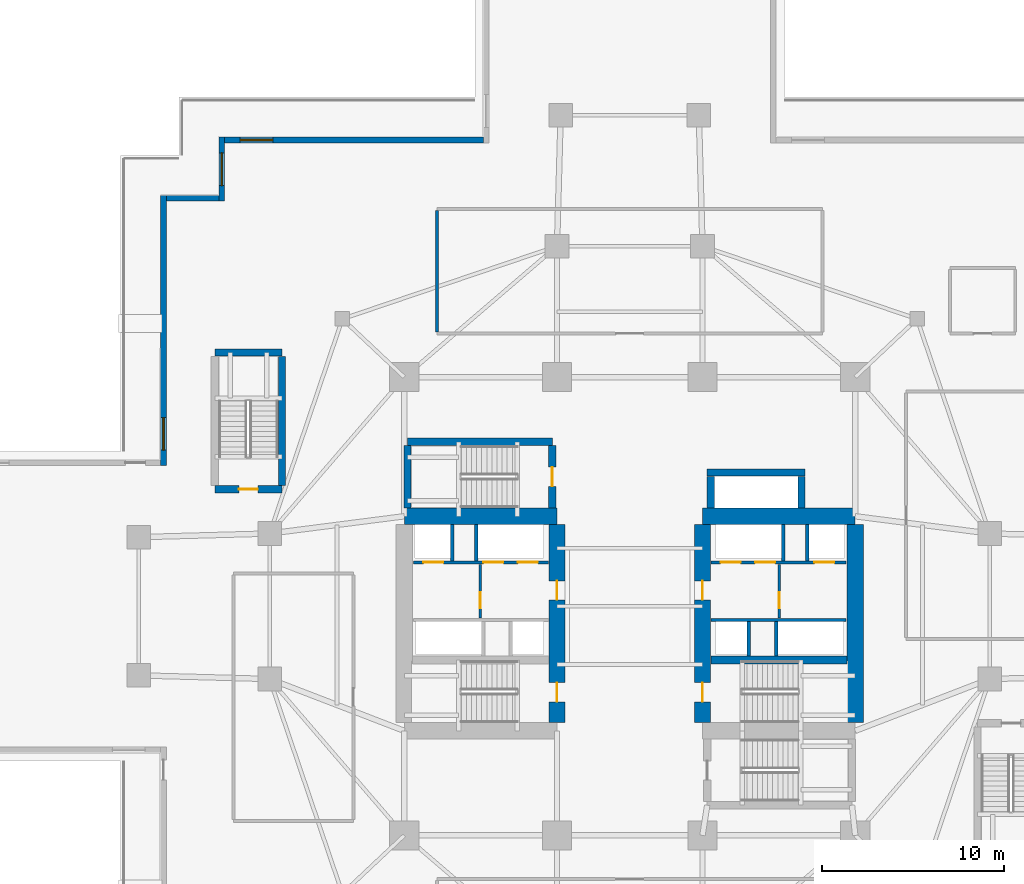
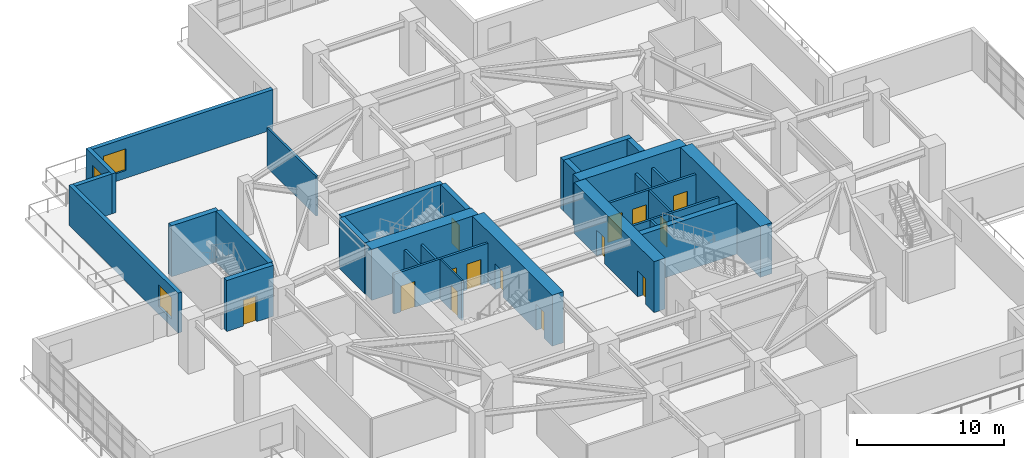
# One storey, part 16 of 24: 31 walls, 14 doors, 3 windows, 17 openings.
"""IFC4 building model written with IfcOpenShell, lengths in metres."""

from ifc_helpers import new_model, si_unit, direction, frame, frame_2d, origin, place, context, subcontext, project, spatial, rectangle, extrude, material, layer, layer_set, type_object, element, fill, save


model = new_model("IFC4")

# Units and contexts
model_context = context("Model", 3, precision=1e-05, world=origin(), true_north=direction((0.0, 1.0)))
body_context = subcontext(model_context, "Body", "Model", "MODEL_VIEW")
ifc_project = project(units=[si_unit("LENGTHUNIT", "METRE"), si_unit("AREAUNIT", "SQUARE_METRE"), si_unit("VOLUMEUNIT", "CUBIC_METRE"), si_unit("PLANEANGLEUNIT", "RADIAN"), si_unit("MASSUNIT", "GRAM", prefix="KILO")], contexts=[model_context])

# Site, building, storey
site_placement = place(None, origin())
site = spatial("IfcSite", under=ifc_project, at=site_placement, CompositionType="ELEMENT")
building_placement = place(site_placement, origin())
building = spatial("IfcBuilding", under=site, at=building_placement, Name="Qingluan Cross Belvedere", CompositionType="ELEMENT")
storey_placement = place(building_placement, frame((0.0, 0.0, 14.699951171875)))
storey = spatial("IfcBuildingStorey", under=building, at=storey_placement, Name="L04", CompositionType="ELEMENT", Elevation=14.699951171875)

# Walls
ifc_material_1 = material(Name="Concrete C50", Category="concrete")
ifc_layer_1 = layer(ifc_material_1, 0.449951171875, Name="CoreShearWall_450")
ifc_layer_set_1 = layer_set([ifc_layer_1], Name="Concrete C50")
wall_type_1 = type_object("IfcWallType", Name="CoreShearWall_450", PredefinedType="SHEAR", material=ifc_layer_set_1)
wall_1_placement = place(storey_placement, frame((4.455078125, -2.9599609375, 0.0), z_axis=(0.0, 0.0, 1.0), x_axis=(1.0, 0.0, 0.0)))
element("IfcWall", 1, at=wall_1_placement, inside=storey, type_object=wall_type_1, Name="Split core E shear wall L04-M", PredefinedType="SHEAR", context=body_context, shape_type="SweptSolid", body=[
    extrude(rectangle(XDim=7.489990234375, YDim=0.449951171875, at=frame_2d((3.7451171875, 0.0))), origin(), (0.0, 0.0, 1.0), 4.25),
])
wall_2_placement = place(storey_placement, frame((-12.219970703125, 9.0400390625, 0.0), z_axis=(0.0, 0.0, 1.0), x_axis=(1.0, 0.0, 0.0)))
element("IfcWall", 2, at=wall_2_placement, inside=storey, type_object=wall_type_1, Name="Stair ST3 structural wall N L04", PredefinedType="SHEAR", context=body_context, shape_type="SweptSolid", body=[
    extrude(rectangle(XDim=7.9599609375, YDim=0.39990234375, at=frame_2d((3.97998046875, 0.0))), origin(), (0.0, 0.0, 1.0), 4.25),
])
wall_3_placement = place(storey_placement, frame((-12.219970703125, 5.405029296875, 0.0), z_axis=(0.0, 0.0, 1.0), x_axis=(0.0, 1.0, 0.0)))
element("IfcWall", 3, at=wall_3_placement, inside=storey, type_object=wall_type_1, Name="Stair ST3 structural wall W L04", PredefinedType="SHEAR", context=body_context, shape_type="SweptSolid", body=[
    extrude(rectangle(XDim=3.429931640625, YDim=0.39990234375, at=frame_2d((1.71484375, 0.0))), origin(), (0.0, 0.0, 1.0), 4.25),
])

# Wall, opening, door
wall_4_placement = place(storey_placement, frame((-4.260009765625, 5.405029296875, 0.0), z_axis=(0.0, 0.0, 1.0), x_axis=(0.0, 1.0, 0.0)))
wall_4 = element("IfcWall", 4, at=wall_4_placement, inside=storey, type_object=wall_type_1, Name="Stair ST3 structural wall E L04", PredefinedType="SHEAR", context=body_context, shape_type="SweptSolid", body=[
    extrude(rectangle(XDim=3.429931640625, YDim=0.39990234375, at=frame_2d((1.71484375, 0.0))), origin(), (0.0, 0.0, 1.0), 4.25),
])
opening_1_placement = place(wall_4_placement, frame((1.195068359375, 0.0, 0.0)))
opening_1 = element("IfcOpeningElement", 5, at=opening_1_placement, cuts=wall_4, Name="Opening FD-B11", PredefinedType="OPENING", context=body_context, shape_type="SweptSolid", body=[
    extrude(rectangle(XDim=1.050048828125, YDim=2.14990234375, at=frame_2d((0.52490234375, 1.074951171875))), frame((0.0, 0.2099609375, 0.0), z_axis=(0.0, -1.0, 0.0), x_axis=(1.0, 0.0, 0.0)), (0.0, 0.0, 1.0), 0.419921875),
])
ifc_material_2 = material(Name="Steel Class B smoke-seal fire door", Category="steel")
door_type_1 = type_object("IfcDoorType", Name="StairLobbyFireDoor_FDB", OperationType="NOTDEFINED", PredefinedType="DOOR", material=ifc_material_2)
door_1_placement = place(opening_1_placement, origin())
door_1 = element("IfcDoor", 6, at=door_1_placement, inside=storey, type_object=door_type_1, Name="Smoke-proof stair ST3 fire door L04", OperationType="SINGLE_SWING_RIGHT", OverallHeight=2.14990234375, OverallWidth=1.050048828125, PredefinedType="DOOR", context=body_context, shape_type="SweptSolid", body=[
    extrude(rectangle(XDim=1.050048828125, YDim=2.14990234375, at=frame_2d((0.52490234375, 1.074951171875))), frame((0.0, 0.02490234375, 0.0), z_axis=(0.0, -1.0, 0.0), x_axis=(1.0, 0.0, 0.0)), (0.0, 0.0, 1.0), 0.050048828125),
])
fill(opening_1, door_1)

# Wall
wall_5_placement = place(storey_placement, frame((-22.820068359375, 13.949951171875, 0.0), z_axis=(0.0, 0.0, 1.0), x_axis=(1.0, 0.0, 0.0)))
element("IfcWall", 7, at=wall_5_placement, inside=storey, type_object=wall_type_1, Name="Stair ST5 structural wall N L04", PredefinedType="SHEAR", context=body_context, shape_type="SweptSolid", body=[
    extrude(rectangle(XDim=3.699951171875, YDim=0.39990234375, at=frame_2d((1.85009765625, 0.0))), origin(), (0.0, 0.0, 1.0), 4.25),
])

# Wall, opening, door
wall_6_placement = place(storey_placement, frame((-22.820068359375, 6.429931640625, 0.0), z_axis=(0.0, 0.0, 1.0), x_axis=(1.0, 0.0, 0.0)))
wall_6 = element("IfcWall", 8, at=wall_6_placement, inside=storey, type_object=wall_type_1, Name="Stair ST5 structural wall S L04", PredefinedType="SHEAR", context=body_context, shape_type="SweptSolid", body=[
    extrude(rectangle(XDim=3.699951171875, YDim=0.39990234375, at=frame_2d((1.85009765625, 0.0))), origin(), (0.0, 0.0, 1.0), 4.25),
])
opening_2_placement = place(wall_6_placement, frame((1.320068359375, 0.0, 0.0)))
opening_2 = element("IfcOpeningElement", 9, at=opening_2_placement, cuts=wall_6, Name="Opening FD-B11", PredefinedType="OPENING", context=body_context, shape_type="SweptSolid", body=[
    extrude(rectangle(XDim=1.050048828125, YDim=2.14990234375, at=frame_2d((0.52490234375, 1.074951171875))), frame((0.0, 0.2099609375, 0.0), z_axis=(0.0, -1.0, 0.0), x_axis=(1.0, 0.0, 0.0)), (0.0, 0.0, 1.0), 0.419921875),
])
door_2_placement = place(opening_2_placement, origin())
door_2 = element("IfcDoor", 10, at=door_2_placement, inside=storey, type_object=door_type_1, Name="Podium stair ST5 smoke-proof fire door L04", OperationType="SINGLE_SWING_RIGHT", OverallHeight=2.14990234375, OverallWidth=1.050048828125, PredefinedType="DOOR", context=body_context, shape_type="SweptSolid", body=[
    extrude(rectangle(XDim=1.050048828125, YDim=2.14990234375, at=frame_2d((0.52490234375, 1.074951171875))), frame((0.0, 0.02490234375, 0.0), z_axis=(0.0, -1.0, 0.0), x_axis=(1.0, 0.0, 0.0)), (0.0, 0.0, 1.0), 0.050048828125),
])
fill(opening_2, door_2)

# Walls
wall_7_placement = place(storey_placement, frame((-19.1201171875, 6.635009765625, 0.0), z_axis=(0.0, 0.0, 1.0), x_axis=(0.0, 1.0, 0.0)))
element("IfcWall", 11, at=wall_7_placement, inside=storey, type_object=wall_type_1, Name="Stair ST5 structural wall E L04", PredefinedType="SHEAR", context=body_context, shape_type="SweptSolid", body=[
    extrude(rectangle(XDim=7.110107421875, YDim=0.39990234375, at=frame_2d((3.55517578125, 0.0))), origin(), (0.0, 0.0, 1.0), 4.25),
])
wall_8_placement = place(storey_placement, frame((4.449951171875, 5.405029296875, 0.0), z_axis=(0.0, 0.0, 1.0), x_axis=(0.0, 1.0, 0.0)))
element("IfcWall", 12, at=wall_8_placement, inside=storey, type_object=wall_type_1, Name="Express shuttle core wall L04-W", PredefinedType="SHEAR", context=body_context, shape_type="SweptSolid", body=[
    extrude(rectangle(XDim=1.73486328125, YDim=0.39990234375, at=frame_2d((0.867431640625, 0.0))), origin(), (0.0, 0.0, 1.0), 4.25),
])
wall_9_placement = place(storey_placement, frame((4.25, 7.35009765625, 0.0), z_axis=(0.0, 0.0, 1.0), x_axis=(1.0, 0.0, 0.0)))
element("IfcWall", 13, at=wall_9_placement, inside=storey, type_object=wall_type_1, Name="Express shuttle core wall L04-N", PredefinedType="SHEAR", context=body_context, shape_type="SweptSolid", body=[
    extrude(rectangle(XDim=5.39990234375, YDim=0.39990234375, at=frame_2d((2.699951171875, 0.0))), origin(), (0.0, 0.0, 1.0), 4.25),
])
wall_10_placement = place(storey_placement, frame((9.449951171875, 5.405029296875, 0.0), z_axis=(0.0, 0.0, 1.0), x_axis=(0.0, 1.0, 0.0)))
element("IfcWall", 14, at=wall_10_placement, inside=storey, type_object=wall_type_1, Name="Express shuttle core wall L04-E", PredefinedType="SHEAR", context=body_context, shape_type="SweptSolid", body=[
    extrude(rectangle(XDim=1.73486328125, YDim=0.39990234375, at=frame_2d((0.867431640625, 0.0))), origin(), (0.0, 0.0, 1.0), 4.25),
])
ifc_material_3 = material(Name="Concrete C70", Category="concrete")
ifc_layer_2 = layer(ifc_material_3, 0.89990234375, Name="CoreShearWall_900")
ifc_layer_set_2 = layer_set([ifc_layer_2], Name="Concrete C70")
wall_type_2 = type_object("IfcWallType", Name="CoreShearWall_900", PredefinedType="SHEAR", material=ifc_layer_set_2)
wall_11_placement = place(storey_placement, frame((-12.39990234375, 4.949951171875, 0.0), z_axis=(0.0, 0.0, 1.0), x_axis=(1.0, 0.0, 0.0)))
element("IfcWall", 15, at=wall_11_placement, inside=storey, type_object=wall_type_2, Name="Split core W shear wall L04-N", PredefinedType="SHEAR", context=body_context, shape_type="SweptSolid", body=[
    extrude(rectangle(XDim=8.39990234375, YDim=0.89990234375, at=frame_2d((4.199951171875, 0.0))), origin(), (0.0, 0.0, 1.0), 4.25),
])

# Wall, openings, doors
wall_12_placement = place(storey_placement, frame((-4.0, -6.39501953125, 0.0), z_axis=(0.0, 0.0, 1.0), x_axis=(0.0, 1.0, 0.0)))
wall_12 = element("IfcWall", 16, at=wall_12_placement, inside=storey, type_object=wall_type_2, Name="Split core W shear wall L04-E", PredefinedType="SHEAR", context=body_context, shape_type="SweptSolid", body=[
    extrude(rectangle(XDim=10.89013671875, YDim=0.89990234375, at=frame_2d((5.445068359375, 0.0))), origin(), (0.0, 0.0, 1.0), 4.25),
])
opening_3_placement = place(wall_12_placement, frame((1.14501953125, 0.0, 0.0)))
opening_3 = element("IfcOpeningElement", 17, at=opening_3_placement, cuts=wall_12, Name="Opening FD-B11", PredefinedType="OPENING", context=body_context, shape_type="SweptSolid", body=[
    extrude(rectangle(XDim=1.050048828125, YDim=2.14990234375, at=frame_2d((0.52490234375, 1.074951171875))), frame((0.0, 0.4599609375, 0.0), z_axis=(0.0, -1.0, 0.0), x_axis=(1.0, 0.0, 0.0)), (0.0, 0.0, 1.0), 0.919921875),
])
opening_4_placement = place(wall_12_placement, frame((6.7451171875, 0.0, 0.0)))
opening_4 = element("IfcOpeningElement", 18, at=opening_4_placement, cuts=wall_12, Name="Opening FD-B11", PredefinedType="OPENING", context=body_context, shape_type="SweptSolid", body=[
    extrude(rectangle(XDim=1.050048828125, YDim=2.14990234375, at=frame_2d((0.52490234375, 1.074951171875))), frame((0.0, 0.4599609375, 0.0), z_axis=(0.0, -1.0, 0.0), x_axis=(1.0, 0.0, 0.0)), (0.0, 0.0, 1.0), 0.919921875),
])
door_3_placement = place(opening_3_placement, origin())
door_3 = element("IfcDoor", 19, at=door_3_placement, inside=storey, type_object=door_type_1, Name="Smoke-proof stair ST1 fire door L04", OperationType="SINGLE_SWING_RIGHT", OverallHeight=2.14990234375, OverallWidth=1.050048828125, PredefinedType="DOOR", context=body_context, shape_type="SweptSolid", body=[
    extrude(rectangle(XDim=1.050048828125, YDim=2.14990234375, at=frame_2d((0.52490234375, 1.074951171875))), frame((0.0, 0.02490234375, 0.0), z_axis=(0.0, -1.0, 0.0), x_axis=(1.0, 0.0, 0.0)), (0.0, 0.0, 1.0), 0.050048828125),
])
fill(opening_3, door_3)
door_4_placement = place(opening_4_placement, origin())
door_4 = element("IfcDoor", 20, at=door_4_placement, inside=storey, type_object=door_type_1, Name="Firefighting lobby West fire door L04", OperationType="SINGLE_SWING_RIGHT", OverallHeight=2.14990234375, OverallWidth=1.050048828125, PredefinedType="DOOR", context=body_context, shape_type="SweptSolid", body=[
    extrude(rectangle(XDim=1.050048828125, YDim=2.14990234375, at=frame_2d((0.52490234375, 1.074951171875))), frame((0.0, 0.02490234375, 0.0), z_axis=(0.0, -1.0, 0.0), x_axis=(1.0, 0.0, 0.0)), (0.0, 0.0, 1.0), 0.050048828125),
])
fill(opening_4, door_4)

# Wall
wall_13_placement = place(storey_placement, frame((4.0, 4.949951171875, 0.0), z_axis=(0.0, 0.0, 1.0), x_axis=(1.0, 0.0, 0.0)))
element("IfcWall", 21, at=wall_13_placement, inside=storey, type_object=wall_type_2, Name="Split core E shear wall L04-N", PredefinedType="SHEAR", context=body_context, shape_type="SweptSolid", body=[
    extrude(rectangle(XDim=8.39990234375, YDim=0.89990234375, at=frame_2d((4.199951171875, 0.0))), origin(), (0.0, 0.0, 1.0), 4.25),
])

# Wall, openings, doors
wall_14_placement = place(storey_placement, frame((4.0, -6.39501953125, 0.0), z_axis=(0.0, 0.0, 1.0), x_axis=(0.0, 1.0, 0.0)))
wall_14 = element("IfcWall", 22, at=wall_14_placement, inside=storey, type_object=wall_type_2, Name="Split core E shear wall L04-W", PredefinedType="SHEAR", context=body_context, shape_type="SweptSolid", body=[
    extrude(rectangle(XDim=10.89013671875, YDim=0.89990234375, at=frame_2d((5.445068359375, 0.0))), origin(), (0.0, 0.0, 1.0), 4.25),
])
opening_5_placement = place(wall_14_placement, frame((1.14501953125, 0.0, 0.0)))
opening_5 = element("IfcOpeningElement", 23, at=opening_5_placement, cuts=wall_14, Name="Opening FD-B11", PredefinedType="OPENING", context=body_context, shape_type="SweptSolid", body=[
    extrude(rectangle(XDim=1.050048828125, YDim=2.14990234375, at=frame_2d((0.52490234375, 1.074951171875))), frame((0.0, 0.4599609375, 0.0), z_axis=(0.0, -1.0, 0.0), x_axis=(1.0, 0.0, 0.0)), (0.0, 0.0, 1.0), 0.919921875),
])
opening_6_placement = place(wall_14_placement, frame((6.7451171875, 0.0, 0.0)))
opening_6 = element("IfcOpeningElement", 24, at=opening_6_placement, cuts=wall_14, Name="Opening FD-B11", PredefinedType="OPENING", context=body_context, shape_type="SweptSolid", body=[
    extrude(rectangle(XDim=1.050048828125, YDim=2.14990234375, at=frame_2d((0.52490234375, 1.074951171875))), frame((0.0, 0.4599609375, 0.0), z_axis=(0.0, -1.0, 0.0), x_axis=(1.0, 0.0, 0.0)), (0.0, 0.0, 1.0), 0.919921875),
])
door_5_placement = place(opening_5_placement, origin())
door_5 = element("IfcDoor", 25, at=door_5_placement, inside=storey, type_object=door_type_1, Name="Smoke-proof stair ST2 fire door L04", OperationType="SINGLE_SWING_LEFT", OverallHeight=2.14990234375, OverallWidth=1.050048828125, PredefinedType="DOOR", context=body_context, shape_type="SweptSolid", body=[
    extrude(rectangle(XDim=1.050048828125, YDim=2.14990234375, at=frame_2d((0.52490234375, 1.074951171875))), frame((0.0, 0.02490234375, 0.0), z_axis=(0.0, -1.0, 0.0), x_axis=(1.0, 0.0, 0.0)), (0.0, 0.0, 1.0), 0.050048828125),
])
fill(opening_5, door_5)
door_6_placement = place(opening_6_placement, origin())
door_6 = element("IfcDoor", 26, at=door_6_placement, inside=storey, type_object=door_type_1, Name="Firefighting lobby East fire door L04", OperationType="SINGLE_SWING_LEFT", OverallHeight=2.14990234375, OverallWidth=1.050048828125, PredefinedType="DOOR", context=body_context, shape_type="SweptSolid", body=[
    extrude(rectangle(XDim=1.050048828125, YDim=2.14990234375, at=frame_2d((0.52490234375, 1.074951171875))), frame((0.0, 0.02490234375, 0.0), z_axis=(0.0, -1.0, 0.0), x_axis=(1.0, 0.0, 0.0)), (0.0, 0.0, 1.0), 0.050048828125),
])
fill(opening_6, door_6)

# Walls
wall_15_placement = place(storey_placement, frame((12.39990234375, -6.39501953125, 0.0), z_axis=(0.0, 0.0, 1.0), x_axis=(0.0, 1.0, 0.0)))
element("IfcWall", 27, at=wall_15_placement, inside=storey, type_object=wall_type_2, Name="Split core E shear wall L04-E", PredefinedType="SHEAR", context=body_context, shape_type="SweptSolid", body=[
    extrude(rectangle(XDim=10.89013671875, YDim=0.89990234375, at=frame_2d((5.445068359375, 0.0))), origin(), (0.0, 0.0, 1.0), 4.25),
])
ifc_material_4 = material(Name="Gypsum plasterboard on steel stud acoustic partition", Category="steel")
ifc_layer_3 = layer(ifc_material_4, 0.159912109375, Name="CorridorPartition_160")
ifc_layer_set_3 = layer_set([ifc_layer_3], Name="Gypsum plasterboard on steel stud acoustic partition")
wall_type_3 = type_object("IfcWallType", Name="CorridorPartition_160", PredefinedType="PARTITIONING", material=ifc_layer_set_3)
wall_16_placement = place(storey_placement, frame((-10.60009765625, 15.0849609375, 0.0), z_axis=(0.0, 0.0, 1.0), x_axis=(0.0, 1.0, 0.0)))
element("IfcWall", 28, at=wall_16_placement, inside=storey, type_object=wall_type_3, Name="Partition L04:pod_n:W", PredefinedType="PARTITIONING", context=body_context, shape_type="SweptSolid", body=[
    extrude(rectangle(XDim=6.679931640625, YDim=0.159912109375, at=frame_2d((3.33984375, 0.0))), origin(), (0.0, 0.0, 1.0), 3.320068359375),
])

# Wall, opening, window
ifc_material_5 = material(Name="Precast concrete C45", Category="concrete")
ifc_layer_4 = layer(ifc_material_5, 0.320068359375, Name="PrecastPodiumWall_320")
ifc_layer_set_4 = layer_set([ifc_layer_4], Name="Precast concrete C45")
wall_type_4 = type_object("IfcWallType", Name="PrecastPodiumWall_320", PredefinedType="STANDARD", material=ifc_layer_set_4)
wall_17_placement = place(storey_placement, frame((-25.639892578125, 7.72998046875, 0.0), z_axis=(0.0, 0.0, 1.0), x_axis=(0.0, 1.0, 0.0)))
wall_17 = element("IfcWall", 29, at=wall_17_placement, inside=storey, type_object=wall_type_4, Name="Podium precast facade wall L04-S14", PredefinedType="STANDARD", context=body_context, shape_type="SweptSolid", body=[
    extrude(rectangle(XDim=14.8701171875, YDim=0.320068359375, at=frame_2d((7.43505859375, 0.0))), origin(), (0.0, 0.0, 1.0), 3.330078125),
])
opening_7_placement = place(wall_17_placement, frame((0.85009765625, 0.0, 0.64990234375)))
opening_7 = element("IfcOpeningElement", 30, at=opening_7_placement, cuts=wall_17, Name="Opening W-06", PredefinedType="OPENING", context=body_context, shape_type="SweptSolid", body=[
    extrude(rectangle(XDim=1.800048828125, YDim=1.800048828125, at=frame_2d((0.89990234375, 0.89990234375))), frame((0.0, 0.169921875, 0.0), z_axis=(0.0, -1.0, 0.0), x_axis=(1.0, 0.0, 0.0)), (0.0, 0.0, 1.0), 0.340087890625),
])
ifc_material_6 = material(Name="Thermally broken triple Low-E glass in aluminium frame", Category="aluminium")
window_type = type_object("IfcWindowType", Name="PodiumGalleryWin_1800x1800", PartitioningType="SINGLE_PANEL", PredefinedType="WINDOW", material=ifc_material_6)
window_1_placement = place(opening_7_placement, origin())
window_1 = element("IfcWindow", 31, at=window_1_placement, inside=storey, type_object=window_type, Name="Podium gallery window L04-S14", OverallHeight=1.800048828125, OverallWidth=1.800048828125, PartitioningType="SINGLE_PANEL", PredefinedType="WINDOW", context=body_context, shape_type="SweptSolid", body=[
    extrude(rectangle(XDim=1.800048828125, YDim=1.800048828125, at=frame_2d((0.89990234375, 0.89990234375))), frame((0.0, 0.030029296875, 0.0), z_axis=(0.0, -1.0, 0.0), x_axis=(1.0, 0.0, 0.0)), (0.0, 0.0, 1.0), 0.06005859375),
])
fill(opening_7, window_1)

# Wall
wall_18_placement = place(storey_placement, frame((-25.47998046875, 22.43994140625, 0.0), z_axis=(0.0, 0.0, 1.0), x_axis=(1.0, 0.0, 0.0)))
element("IfcWall", 32, at=wall_18_placement, inside=storey, type_object=wall_type_4, Name="Podium precast facade wall L04-S15", PredefinedType="STANDARD", context=body_context, shape_type="SweptSolid", body=[
    extrude(rectangle(XDim=2.8798828125, YDim=0.320068359375, at=frame_2d((1.43994140625, 0.0))), origin(), (0.0, 0.0, 1.0), 3.330078125),
])

# Wall, opening, window
wall_19_placement = place(storey_placement, frame((-22.43994140625, 22.280029296875, 0.0), z_axis=(0.0, 0.0, 1.0), x_axis=(0.0, 1.0, 0.0)))
wall_19 = element("IfcWall", 33, at=wall_19_placement, inside=storey, type_object=wall_type_4, Name="Podium precast facade wall L04-S16", PredefinedType="STANDARD", context=body_context, shape_type="SweptSolid", body=[
    extrude(rectangle(XDim=3.52001953125, YDim=0.320068359375, at=frame_2d((1.760009765625, 0.0))), origin(), (0.0, 0.0, 1.0), 3.330078125),
])
opening_8_placement = place(wall_19_placement, frame((0.85009765625, 0.0, 0.64990234375)))
opening_8 = element("IfcOpeningElement", 34, at=opening_8_placement, cuts=wall_19, Name="Opening W-06", PredefinedType="OPENING", context=body_context, shape_type="SweptSolid", body=[
    extrude(rectangle(XDim=1.800048828125, YDim=1.800048828125, at=frame_2d((0.89990234375, 0.89990234375))), frame((0.0, 0.169921875, 0.0), z_axis=(0.0, -1.0, 0.0), x_axis=(1.0, 0.0, 0.0)), (0.0, 0.0, 1.0), 0.340087890625),
])
window_2_placement = place(opening_8_placement, origin())
window_2 = element("IfcWindow", 35, at=window_2_placement, inside=storey, type_object=window_type, Name="Podium gallery window L04-S16", OverallHeight=1.800048828125, OverallWidth=1.800048828125, PartitioningType="SINGLE_PANEL", PredefinedType="WINDOW", context=body_context, shape_type="SweptSolid", body=[
    extrude(rectangle(XDim=1.800048828125, YDim=1.800048828125, at=frame_2d((0.89990234375, 0.89990234375))), frame((0.0, 0.030029296875, 0.0), z_axis=(0.0, -1.0, 0.0), x_axis=(1.0, 0.0, 0.0)), (0.0, 0.0, 1.0), 0.06005859375),
])
fill(opening_8, window_2)

wall_20_placement = place(storey_placement, frame((-22.280029296875, 25.639892578125, 0.0), z_axis=(0.0, 0.0, 1.0), x_axis=(1.0, 0.0, 0.0)))
wall_20 = element("IfcWall", 36, at=wall_20_placement, inside=storey, type_object=wall_type_4, Name="Podium precast facade wall L04-S17", PredefinedType="STANDARD", context=body_context, shape_type="SweptSolid", body=[
    extrude(rectangle(XDim=14.22998046875, YDim=0.320068359375, at=frame_2d((7.114990234375, 0.0))), origin(), (0.0, 0.0, 1.0), 3.330078125),
])
opening_9_placement = place(wall_20_placement, frame((0.85009765625, 0.0, 0.64990234375)))
opening_9 = element("IfcOpeningElement", 37, at=opening_9_placement, cuts=wall_20, Name="Opening W-06", PredefinedType="OPENING", context=body_context, shape_type="SweptSolid", body=[
    extrude(rectangle(XDim=1.800048828125, YDim=1.800048828125, at=frame_2d((0.89990234375, 0.89990234375))), frame((0.0, 0.169921875, 0.0), z_axis=(0.0, -1.0, 0.0), x_axis=(1.0, 0.0, 0.0)), (0.0, 0.0, 1.0), 0.340087890625),
])
window_3_placement = place(opening_9_placement, origin())
window_3 = element("IfcWindow", 38, at=window_3_placement, inside=storey, type_object=window_type, Name="Podium gallery window L04-S17", OverallHeight=1.800048828125, OverallWidth=1.800048828125, PartitioningType="SINGLE_PANEL", PredefinedType="WINDOW", context=body_context, shape_type="SweptSolid", body=[
    extrude(rectangle(XDim=1.800048828125, YDim=1.800048828125, at=frame_2d((0.89990234375, 0.89990234375))), frame((0.0, 0.030029296875, 0.0), z_axis=(0.0, -1.0, 0.0), x_axis=(1.0, 0.0, 0.0)), (0.0, 0.0, 1.0), 0.06005859375),
])
fill(opening_9, window_3)

# Wall, openings, doors
ifc_material_7 = material(Name="Concrete C40", Category="concrete")
ifc_layer_5 = layer(ifc_material_7, 0.219970703125, Name="ShaftEnclosureWall_250")
ifc_layer_set_5 = layer_set([ifc_layer_5], Name="Concrete C40")
wall_type_5 = type_object("IfcWallType", Name="ShaftEnclosureWall_250", PredefinedType="SOLIDWALL", material=ifc_layer_set_5)
wall_21_placement = place(storey_placement, frame((-11.89990234375, 2.409912109375, 0.0), z_axis=(0.0, 0.0, 1.0), x_axis=(1.0, 0.0, 0.0)))
wall_21 = element("IfcWall", 39, at=wall_21_placement, inside=storey, type_object=wall_type_5, Name="Core-W north hoistway wall L04", PredefinedType="SOLIDWALL", context=body_context, shape_type="SweptSolid", body=[
    extrude(rectangle(XDim=7.419921875, YDim=0.179931640625, at=frame_2d((3.7099609375, 0.0))), origin(), (0.0, 0.0, 1.0), 3.320068359375),
])
opening_10_placement = place(wall_21_placement, frame((0.550048828125, 0.0, 0.0)))
opening_10 = element("IfcOpeningElement", 40, at=opening_10_placement, cuts=wall_21, Name="Opening LD-11", PredefinedType="OPENING", context=body_context, shape_type="SweptSolid", body=[
    extrude(rectangle(XDim=1.10009765625, YDim=2.14990234375, at=frame_2d((0.550048828125, 1.074951171875))), frame((0.0, 0.099853515625, 0.0), z_axis=(0.0, -1.0, 0.0), x_axis=(1.0, 0.0, 0.0)), (0.0, 0.0, 1.0), 0.199951171875),
])
opening_11_placement = place(wall_21_placement, frame((3.85009765625, 0.0, 0.0)))
opening_11 = element("IfcOpeningElement", 41, at=opening_11_placement, cuts=wall_21, Name="Opening LD-11", PredefinedType="OPENING", context=body_context, shape_type="SweptSolid", body=[
    extrude(rectangle(XDim=1.10009765625, YDim=2.14990234375, at=frame_2d((0.550048828125, 1.074951171875))), frame((0.0, 0.099853515625, 0.0), z_axis=(0.0, -1.0, 0.0), x_axis=(1.0, 0.0, 0.0)), (0.0, 0.0, 1.0), 0.199951171875),
])
opening_12_placement = place(wall_21_placement, frame((5.75, 0.0, 0.0)))
opening_12 = element("IfcOpeningElement", 42, at=opening_12_placement, cuts=wall_21, Name="Opening LD-11", PredefinedType="OPENING", context=body_context, shape_type="SweptSolid", body=[
    extrude(rectangle(XDim=1.10009765625, YDim=2.14990234375, at=frame_2d((0.550048828125, 1.074951171875))), frame((0.0, 0.099853515625, 0.0), z_axis=(0.0, -1.0, 0.0), x_axis=(1.0, 0.0, 0.0)), (0.0, 0.0, 1.0), 0.199951171875),
])
ifc_material_8 = material(Name="Brushed stainless steel centre-opening lift landing door", Category="steel")
door_type_2 = type_object("IfcDoorType", Name="LiftLandingSlidingDoor_1100", OperationType="DOUBLE_DOOR_SLIDING", PredefinedType="DOOR", material=ifc_material_8)
door_7_placement = place(opening_10_placement, origin())
door_7 = element("IfcDoor", 43, at=door_7_placement, inside=storey, type_object=door_type_2, Name="Lift landing sliding door FL1 L04", OperationType="DOUBLE_DOOR_SLIDING", OverallHeight=2.14990234375, OverallWidth=1.10009765625, PredefinedType="DOOR", context=body_context, shape_type="SweptSolid", body=[
    extrude(rectangle(XDim=1.10009765625, YDim=2.14990234375, at=frame_2d((0.550048828125, 1.074951171875))), frame((0.0, 0.02490234375, 0.0), z_axis=(0.0, -1.0, 0.0), x_axis=(1.0, 0.0, 0.0)), (0.0, 0.0, 1.0), 0.050048828125),
])
fill(opening_10, door_7)
door_8_placement = place(opening_11_placement, origin())
door_8 = element("IfcDoor", 44, at=door_8_placement, inside=storey, type_object=door_type_2, Name="Lift landing sliding door LP1 L04", OperationType="DOUBLE_DOOR_SLIDING", OverallHeight=2.14990234375, OverallWidth=1.10009765625, PredefinedType="DOOR", context=body_context, shape_type="SweptSolid", body=[
    extrude(rectangle(XDim=1.10009765625, YDim=2.14990234375, at=frame_2d((0.550048828125, 1.074951171875))), frame((0.0, 0.02490234375, 0.0), z_axis=(0.0, -1.0, 0.0), x_axis=(1.0, 0.0, 0.0)), (0.0, 0.0, 1.0), 0.050048828125),
])
fill(opening_11, door_8)
door_9_placement = place(opening_12_placement, origin())
door_9 = element("IfcDoor", 45, at=door_9_placement, inside=storey, type_object=door_type_2, Name="Lift landing sliding door LP2 L04", OperationType="DOUBLE_DOOR_SLIDING", OverallHeight=2.14990234375, OverallWidth=1.10009765625, PredefinedType="DOOR", context=body_context, shape_type="SweptSolid", body=[
    extrude(rectangle(XDim=1.10009765625, YDim=2.14990234375, at=frame_2d((0.550048828125, 1.074951171875))), frame((0.0, 0.02490234375, 0.0), z_axis=(0.0, -1.0, 0.0), x_axis=(1.0, 0.0, 0.0)), (0.0, 0.0, 1.0), 0.050048828125),
])
fill(opening_12, door_9)

wall_22_placement = place(storey_placement, frame((4.47998046875, 2.409912109375, 0.0), z_axis=(0.0, 0.0, 1.0), x_axis=(1.0, 0.0, 0.0)))
wall_22 = element("IfcWall", 46, at=wall_22_placement, inside=storey, type_object=wall_type_5, Name="Core-E north hoistway wall L04", PredefinedType="SOLIDWALL", context=body_context, shape_type="SweptSolid", body=[
    extrude(rectangle(XDim=7.419921875, YDim=0.179931640625, at=frame_2d((3.7099609375, 0.0))), origin(), (0.0, 0.0, 1.0), 3.320068359375),
])
opening_13_placement = place(wall_22_placement, frame((5.669921875, 0.0, 0.0)))
opening_13 = element("IfcOpeningElement", 47, at=opening_13_placement, cuts=wall_22, Name="Opening LD-11", PredefinedType="OPENING", context=body_context, shape_type="SweptSolid", body=[
    extrude(rectangle(XDim=1.10009765625, YDim=2.14990234375, at=frame_2d((0.550048828125, 1.074951171875))), frame((0.0, 0.099853515625, 0.0), z_axis=(0.0, -1.0, 0.0), x_axis=(1.0, 0.0, 0.0)), (0.0, 0.0, 1.0), 0.199951171875),
])
opening_14_placement = place(wall_22_placement, frame((0.52001953125, 0.0, 0.0)))
opening_14 = element("IfcOpeningElement", 48, at=opening_14_placement, cuts=wall_22, Name="Opening LD-11", PredefinedType="OPENING", context=body_context, shape_type="SweptSolid", body=[
    extrude(rectangle(XDim=1.10009765625, YDim=2.14990234375, at=frame_2d((0.550048828125, 1.074951171875))), frame((0.0, 0.099853515625, 0.0), z_axis=(0.0, -1.0, 0.0), x_axis=(1.0, 0.0, 0.0)), (0.0, 0.0, 1.0), 0.199951171875),
])
opening_15_placement = place(wall_22_placement, frame((2.419921875, 0.0, 0.0)))
opening_15 = element("IfcOpeningElement", 49, at=opening_15_placement, cuts=wall_22, Name="Opening LD-11", PredefinedType="OPENING", context=body_context, shape_type="SweptSolid", body=[
    extrude(rectangle(XDim=1.10009765625, YDim=2.14990234375, at=frame_2d((0.550048828125, 1.074951171875))), frame((0.0, 0.099853515625, 0.0), z_axis=(0.0, -1.0, 0.0), x_axis=(1.0, 0.0, 0.0)), (0.0, 0.0, 1.0), 0.199951171875),
])
door_10_placement = place(opening_13_placement, origin())
door_10 = element("IfcDoor", 50, at=door_10_placement, inside=storey, type_object=door_type_2, Name="Lift landing sliding door FL2 L04", OperationType="DOUBLE_DOOR_SLIDING", OverallHeight=2.14990234375, OverallWidth=1.10009765625, PredefinedType="DOOR", context=body_context, shape_type="SweptSolid", body=[
    extrude(rectangle(XDim=1.10009765625, YDim=2.14990234375, at=frame_2d((0.550048828125, 1.074951171875))), frame((0.0, 0.02490234375, 0.0), z_axis=(0.0, -1.0, 0.0), x_axis=(1.0, 0.0, 0.0)), (0.0, 0.0, 1.0), 0.050048828125),
])
fill(opening_13, door_10)
door_11_placement = place(opening_14_placement, origin())
door_11 = element("IfcDoor", 51, at=door_11_placement, inside=storey, type_object=door_type_2, Name="Lift landing sliding door LP3 L04", OperationType="DOUBLE_DOOR_SLIDING", OverallHeight=2.14990234375, OverallWidth=1.10009765625, PredefinedType="DOOR", context=body_context, shape_type="SweptSolid", body=[
    extrude(rectangle(XDim=1.10009765625, YDim=2.14990234375, at=frame_2d((0.550048828125, 1.074951171875))), frame((0.0, 0.02490234375, 0.0), z_axis=(0.0, -1.0, 0.0), x_axis=(1.0, 0.0, 0.0)), (0.0, 0.0, 1.0), 0.050048828125),
])
fill(opening_14, door_11)
door_12_placement = place(opening_15_placement, origin())
door_12 = element("IfcDoor", 52, at=door_12_placement, inside=storey, type_object=door_type_2, Name="Lift landing sliding door LP4 L04", OperationType="DOUBLE_DOOR_SLIDING", OverallHeight=2.14990234375, OverallWidth=1.10009765625, PredefinedType="DOOR", context=body_context, shape_type="SweptSolid", body=[
    extrude(rectangle(XDim=1.10009765625, YDim=2.14990234375, at=frame_2d((0.550048828125, 1.074951171875))), frame((0.0, 0.02490234375, 0.0), z_axis=(0.0, -1.0, 0.0), x_axis=(1.0, 0.0, 0.0)), (0.0, 0.0, 1.0), 0.050048828125),
])
fill(opening_15, door_12)

# Walls
wall_23_placement = place(storey_placement, frame((4.47998046875, -0.75, 0.0), z_axis=(0.0, 0.0, 1.0), x_axis=(1.0, 0.0, 0.0)))
element("IfcWall", 53, at=wall_23_placement, inside=storey, type_object=wall_type_5, Name="Core-E mid hoistway wall L04", PredefinedType="SOLIDWALL", context=body_context, shape_type="SweptSolid", body=[
    extrude(rectangle(XDim=7.419921875, YDim=0.179931640625, at=frame_2d((3.7099609375, 0.0))), origin(), (0.0, 0.0, 1.0), 3.320068359375),
])
for number, where, z_axis, x_axis, name in (
    (54, (-9.760009765625, 2.5, 0.0), (0.0, 0.0, 1.0), (0.0, 1.0, 0.0), "Hoistway enclosure divider FL1E L04"),
    (55, (-8.43994140625, 2.5, 0.0), (0.0, 0.0, 1.0), (0.0, 1.0, 0.0), "Hoistway enclosure divider LP1W L04"),
    (56, (8.43994140625, 2.5, 0.0), (0.0, 0.0, 1.0), (0.0, 1.0, 0.0), "Hoistway enclosure divider LP4E L04"),
    (57, (9.760009765625, 2.5, 0.0), (0.0, 0.0, 1.0), (0.0, 1.0, 0.0), "Hoistway enclosure divider FL2W L04"),
):
    element("IfcWall", number, at=place(storey_placement, frame(where, z_axis=z_axis, x_axis=x_axis)), inside=storey, type_object=wall_type_5, Name=name, PredefinedType="SOLIDWALL", context=body_context, shape_type="SweptSolid", body=[
        extrude(rectangle(XDim=1.989990234375, YDim=0.179931640625, at=frame_2d((0.9951171875, 0.0))), origin(), (0.0, 0.0, 1.0), 3.320068359375),
    ])
for number, where, z_axis, x_axis, name in (
    (58, (6.5400390625, -2.72998046875, 0.0), (0.0, 0.0, 1.0), (0.0, 1.0, 0.0), "Hoistway enclosure divider LP7E L04"),
    (59, (8.06005859375, -2.72998046875, 0.0), (0.0, 0.0, 1.0), (0.0, 1.0, 0.0), "Hoistway enclosure divider LP9W L04"),
):
    element("IfcWall", number, at=place(storey_placement, frame(where, z_axis=z_axis, x_axis=x_axis)), inside=storey, type_object=wall_type_5, Name=name, PredefinedType="SOLIDWALL", context=body_context, shape_type="SweptSolid", body=[
        extrude(rectangle(XDim=1.889892578125, YDim=0.179931640625, at=frame_2d((0.94482421875, 0.0))), origin(), (0.0, 0.0, 1.0), 3.320068359375),
    ])

# Wall, opening, door
wall_24_placement = place(storey_placement, frame((-8.219970703125, -0.64990234375, 0.0), z_axis=(0.0, 0.0, 1.0), x_axis=(0.0, 1.0, 0.0)))
wall_24 = element("IfcWall", 60, at=wall_24_placement, inside=storey, type_object=wall_type_5, Name="Core-W service corridor wall L04", PredefinedType="SOLIDWALL", context=body_context, shape_type="SweptSolid", body=[
    extrude(rectangle(XDim=2.9599609375, YDim=0.139892578125, at=frame_2d((1.47998046875, 0.0))), origin(), (0.0, 0.0, 1.0), 3.320068359375),
])
opening_16_placement = place(wall_24_placement, frame((0.550048828125, 0.0, 0.0)))
opening_16 = element("IfcOpeningElement", 61, at=opening_16_placement, cuts=wall_24, Name="Opening FD-B10", PredefinedType="OPENING", context=body_context, shape_type="SweptSolid", body=[
    extrude(rectangle(XDim=0.8798828125, YDim=2.10009765625, at=frame_2d((0.43994140625, 1.050048828125))), frame((0.0, 0.079833984375, 0.0), z_axis=(0.0, -1.0, 0.0), x_axis=(1.0, 0.0, 0.0)), (0.0, 0.0, 1.0), 0.159912109375),
])
ifc_material_9 = material(Name="Steel Class B service fire door", Category="steel")
door_type_3 = type_object("IfcDoorType", Name="RiserServiceFireDoor_FDB", OperationType="NOTDEFINED", PredefinedType="DOOR", material=ifc_material_9)
door_13_placement = place(opening_16_placement, origin())
door_13 = element("IfcDoor", 62, at=door_13_placement, inside=storey, type_object=door_type_3, Name="Core-W service room door L04", OperationType="SINGLE_SWING_RIGHT", OverallHeight=2.10009765625, OverallWidth=0.8798828125, PredefinedType="DOOR", context=body_context, shape_type="SweptSolid", body=[
    extrude(rectangle(XDim=0.8798828125, YDim=2.10009765625, at=frame_2d((0.43994140625, 1.050048828125))), frame((0.0, 0.02490234375, 0.0), z_axis=(0.0, -1.0, 0.0), x_axis=(1.0, 0.0, 0.0)), (0.0, 0.0, 1.0), 0.050048828125),
])
fill(opening_16, door_13)

wall_25_placement = place(storey_placement, frame((8.219970703125, -0.64990234375, 0.0), z_axis=(0.0, 0.0, 1.0), x_axis=(0.0, 1.0, 0.0)))
wall_25 = element("IfcWall", 63, at=wall_25_placement, inside=storey, type_object=wall_type_5, Name="Core-E service corridor wall L04", PredefinedType="SOLIDWALL", context=body_context, shape_type="SweptSolid", body=[
    extrude(rectangle(XDim=2.9599609375, YDim=0.139892578125, at=frame_2d((1.47998046875, 0.0))), origin(), (0.0, 0.0, 1.0), 3.320068359375),
])
opening_17_placement = place(wall_25_placement, frame((0.550048828125, 0.0, 0.0)))
opening_17 = element("IfcOpeningElement", 64, at=opening_17_placement, cuts=wall_25, Name="Opening FD-B10", PredefinedType="OPENING", context=body_context, shape_type="SweptSolid", body=[
    extrude(rectangle(XDim=0.8798828125, YDim=2.10009765625, at=frame_2d((0.43994140625, 1.050048828125))), frame((0.0, 0.079833984375, 0.0), z_axis=(0.0, -1.0, 0.0), x_axis=(1.0, 0.0, 0.0)), (0.0, 0.0, 1.0), 0.159912109375),
])
door_14_placement = place(opening_17_placement, origin())
door_14 = element("IfcDoor", 65, at=door_14_placement, inside=storey, type_object=door_type_3, Name="Core-E service room door L04", OperationType="SINGLE_SWING_LEFT", OverallHeight=2.10009765625, OverallWidth=0.8798828125, PredefinedType="DOOR", context=body_context, shape_type="SweptSolid", body=[
    extrude(rectangle(XDim=0.8798828125, YDim=2.10009765625, at=frame_2d((0.43994140625, 1.050048828125))), frame((0.0, 0.02490234375, 0.0), z_axis=(0.0, -1.0, 0.0), x_axis=(1.0, 0.0, 0.0)), (0.0, 0.0, 1.0), 0.050048828125),
])
fill(opening_17, door_14)

save(model, "model.ifc")
